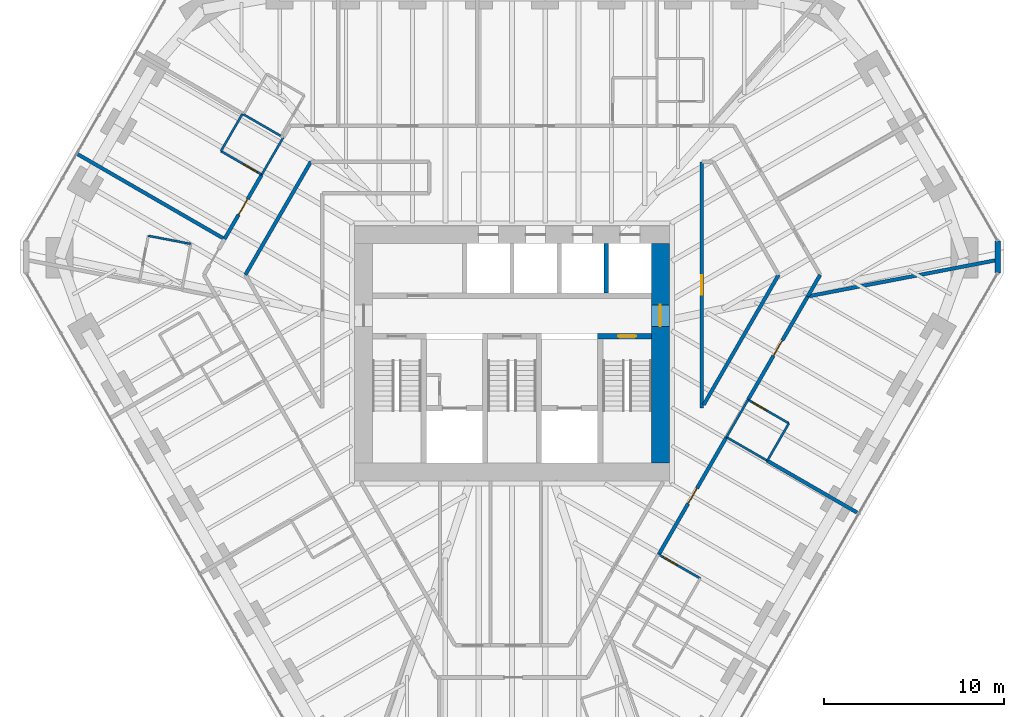
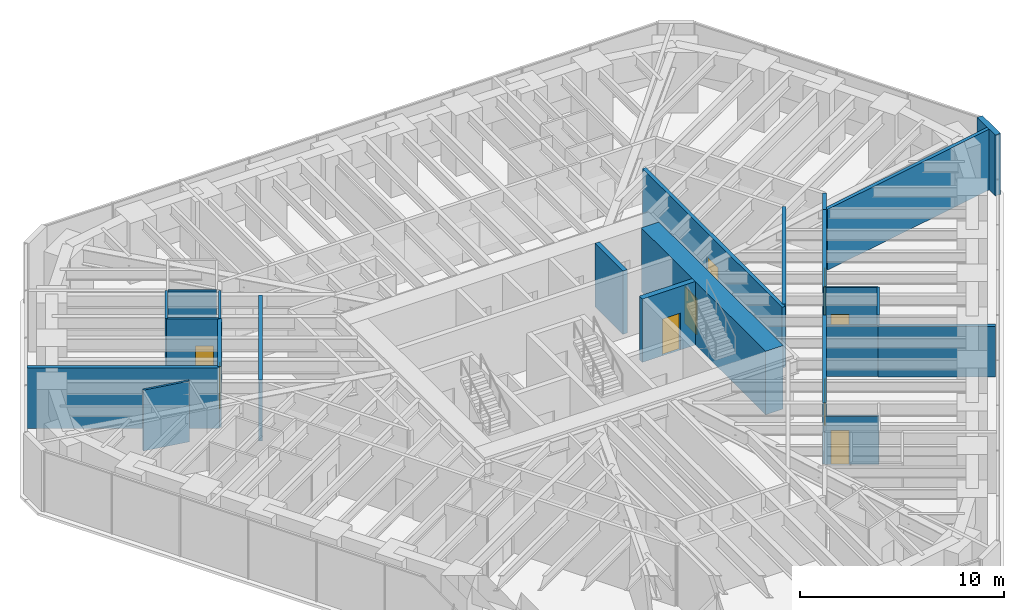
# One storey, part 13 of 16: 24 walls, 9 doors, 9 openings.
"""IFC4 building model written with IfcOpenShell, lengths in metres."""

from ifc_helpers import new_model, si_unit, direction, frame, frame_2d, origin, place, context, subcontext, project, spatial, rectangle, extrude, material, layer, layer_set, type_object, element, fill, save


model = new_model("IFC4")

# Units and contexts
model_context = context("Model", 3, precision=1e-05, world=origin(), true_north=direction((0.0, 1.0)))
body_context = subcontext(model_context, "Body", "Model", "MODEL_VIEW")
ifc_project = project(units=[si_unit("LENGTHUNIT", "METRE"), si_unit("AREAUNIT", "SQUARE_METRE"), si_unit("VOLUMEUNIT", "CUBIC_METRE"), si_unit("PLANEANGLEUNIT", "RADIAN"), si_unit("MASSUNIT", "GRAM", prefix="KILO")], contexts=[model_context])

# Site, building, storey
site_placement = place(None, origin())
site = spatial("IfcSite", under=ifc_project, at=site_placement, CompositionType="ELEMENT")
building_placement = place(site_placement, origin())
building = spatial("IfcBuilding", under=site, at=building_placement, Name="Sandreach Pilgrim Tower", CompositionType="ELEMENT")
storey_placement = place(building_placement, frame((0.0, 0.0, 228.800048828125)))
storey = spatial("IfcBuildingStorey", under=building, at=storey_placement, Name="L57", CompositionType="ELEMENT", Elevation=228.800048828125)

# Wall
ifc_material_1 = material(Name="Moisture-resistant gypsum board on steel studs", Category="steel")
ifc_layer_1 = layer(ifc_material_1, 0.1201171875)
ifc_layer_set_1 = layer_set([ifc_layer_1], Name="Bathroom partition 120")
wall_type_1 = type_object("IfcWallType", Name="Bathroom partition 120", PredefinedType="PARTITIONING", material=ifc_layer_set_1)
wall_1_placement = place(storey_placement, frame((-17.8701171875, 6.090087890625, 0.0), z_axis=(0.0, 0.0, 1.0), x_axis=(-0.982303859288, 0.187294228499, 0.0)))
element("IfcWall", 1, at=wall_1_placement, inside=storey, type_object=wall_type_1, Name="Bathroom partition L57-011", PredefinedType="PARTITIONING", context=body_context, shape_type="SweptSolid", body=[
    extrude(rectangle(XDim=2.40234375, YDim=0.1201171875, at=frame_2d((1.201171875, 0.0))), origin(), (0.0, 0.0, 1.0), 3.639892578125),
])

# Wall, opening, door
wall_2_placement = place(storey_placement, frame((-16.18994140625, 11.25, 0.0), z_axis=(0.0, 0.0, 1.0), x_axis=(0.866114241029, -0.499846097802, 0.0)))
wall_2 = element("IfcWall", 2, at=wall_2_placement, inside=storey, type_object=wall_type_1, Name="Bathroom partition L57-019", PredefinedType="PARTITIONING", context=body_context, shape_type="SweptSolid", body=[
    extrude(rectangle(XDim=2.620849609375, YDim=0.1201171875, at=frame_2d((1.310546875, 0.0))), origin(), (0.0, 0.0, 1.0), 3.639892578125),
])
opening_1_placement = place(wall_2_placement, frame((1.4208984375, 0.0, 0.0)))
opening_1 = element("IfcOpeningElement", 3, at=opening_1_placement, cuts=wall_2, Name="Opening D09-15B", PredefinedType="OPENING", context=body_context, shape_type="SweptSolid", body=[
    extrude(rectangle(XDim=0.89990234375, YDim=2.030029296875, at=frame_2d((0.449951171875, 1.01513671875))), frame((0.0, 0.06005859375, 0.0), z_axis=(0.0, -1.0, 0.0), x_axis=(1.0, 0.0, 0.0)), (0.0, 0.0, 1.0), 0.1201171875),
])
ifc_material_2 = material(Name="Timber door, steel frame", Category="steel")
door_type_1 = type_object("IfcDoorType", Name="Bathroom door", OperationType="SINGLE_SWING_LEFT", PredefinedType="DOOR", material=ifc_material_2)
door_1_placement = place(opening_1_placement, origin())
door_1 = element("IfcDoor", 4, at=door_1_placement, inside=storey, type_object=door_type_1, Name="Door 5715B", OperationType="SINGLE_SWING_RIGHT", OverallHeight=2.030029296875, OverallWidth=0.89990234375, PredefinedType="DOOR", context=body_context, shape_type="SweptSolid", body=[
    extrude(rectangle(XDim=0.89990234375, YDim=2.030029296875, at=frame_2d((0.449951171875, 1.01513671875))), frame((0.0, 0.02490234375, 0.0), z_axis=(0.0, -1.0, 0.0), x_axis=(1.0, 0.0, 0.0)), (0.0, 0.0, 1.0), 0.050048828125),
])
fill(opening_1, door_1)

# Walls
wall_3_placement = place(storey_placement, frame((-14.989990234375, 13.330078125, 0.0), z_axis=(0.0, 0.0, 1.0), x_axis=(-0.499693115345, -0.866202511239, 0.0)))
element("IfcWall", 5, at=wall_3_placement, inside=storey, type_object=wall_type_1, Name="Bathroom partition L57-025", PredefinedType="PARTITIONING", context=body_context, shape_type="SweptSolid", body=[
    extrude(rectangle(XDim=2.4013671875, YDim=0.1201171875, at=frame_2d((1.20068359375, 0.0))), origin(), (0.0, 0.0, 1.0), 3.639892578125),
])
wall_4_placement = place(storey_placement, frame((-14.929931640625, 13.2900390625, 0.0), z_axis=(0.0, 0.0, 1.0), x_axis=(0.866177122335, -0.499737123639, 0.0)))
element("IfcWall", 6, at=wall_4_placement, inside=storey, type_object=wall_type_1, Name="Bathroom partition L57-026", PredefinedType="PARTITIONING", context=body_context, shape_type="SweptSolid", body=[
    extrude(rectangle(XDim=2.401123046875, YDim=0.1201171875, at=frame_2d((1.20068359375, 0.0))), origin(), (0.0, 0.0, 1.0), 3.639892578125),
])
wall_5_placement = place(storey_placement, frame((-13.919921875, 9.93994140625, 0.0), z_axis=(0.0, 0.0, 1.0), x_axis=(0.500402934999, 0.865792644139, 0.0)))
element("IfcWall", 7, at=wall_5_placement, inside=storey, type_object=wall_type_1, Name="Bathroom partition L57-028", PredefinedType="PARTITIONING", context=body_context, shape_type="SweptSolid", body=[
    extrude(rectangle(XDim=2.4013671875, YDim=0.1201171875, at=frame_2d((1.20068359375, 0.0))), origin(), (0.0, 0.0, 1.0), 3.639892578125),
])

# Wall, opening, door
wall_6_placement = place(storey_placement, frame((10.469970703125, -12.510009765625, 0.0), z_axis=(0.0, 0.0, 1.0), x_axis=(-0.86821490448, 0.49618835097, 0.0)))
wall_6 = element("IfcWall", 8, at=wall_6_placement, inside=storey, type_object=wall_type_1, Name="Bathroom partition L57-095", PredefinedType="PARTITIONING", context=body_context, shape_type="SweptSolid", body=[
    extrude(rectangle(XDim=2.660400390625, YDim=0.1201171875, at=frame_2d((1.330078125, 0.0))), origin(), (0.0, 0.0, 1.0), 2.8779296875),
])
opening_2_placement = place(wall_6_placement, frame((1.46044921875, 0.0, 0.0)))
opening_2 = element("IfcOpeningElement", 9, at=opening_2_placement, cuts=wall_6, Name="Opening D09-07B", PredefinedType="OPENING", context=body_context, shape_type="SweptSolid", body=[
    extrude(rectangle(XDim=0.89990234375, YDim=2.030029296875, at=frame_2d((0.449951171875, 1.01513671875))), frame((0.0, 0.06005859375, 0.0), z_axis=(0.0, -1.0, 0.0), x_axis=(1.0, 0.0, 0.0)), (0.0, 0.0, 1.0), 0.1201171875),
])
door_2_placement = place(opening_2_placement, origin())
door_2 = element("IfcDoor", 10, at=door_2_placement, inside=storey, type_object=door_type_1, Name="Door 5707B", OperationType="SINGLE_SWING_RIGHT", OverallHeight=2.030029296875, OverallWidth=0.89990234375, PredefinedType="DOOR", context=body_context, shape_type="SweptSolid", body=[
    extrude(rectangle(XDim=0.89990234375, YDim=2.030029296875, at=frame_2d((0.449951171875, 1.01513671875))), frame((0.0, 0.02490234375, 0.0), z_axis=(0.0, -1.0, 0.0), x_axis=(1.0, 0.0, 0.0)), (0.0, 0.0, 1.0), 0.050048828125),
])
fill(opening_2, door_2)

# Walls
wall_7_placement = place(storey_placement, frame((11.929931640625, -4.659912109375, 0.0), z_axis=(0.0, 0.0, 1.0), x_axis=(0.499737123639, 0.866177122335, 0.0)))
element("IfcWall", 11, at=wall_7_placement, inside=storey, type_object=wall_type_1, Name="Bathroom partition L57-102", PredefinedType="PARTITIONING", context=body_context, shape_type="SweptSolid", body=[
    extrude(rectangle(XDim=2.401123046875, YDim=0.1201171875, at=frame_2d((1.20068359375, 0.0))), origin(), (0.0, 0.0, 1.0), 3.639892578125),
])
wall_8_placement = place(storey_placement, frame((11.929931640625, -4.659912109375, 0.0), z_axis=(0.0, 0.0, 1.0), x_axis=(0.865969958829, -0.500096021185, 0.0)))
element("IfcWall", 12, at=wall_8_placement, inside=storey, type_object=wall_type_1, Name="Bathroom partition L57-103", PredefinedType="PARTITIONING", context=body_context, shape_type="SweptSolid", body=[
    extrude(rectangle(XDim=2.62109375, YDim=0.1201171875, at=frame_2d((1.310546875, 0.0))), origin(), (0.0, 0.0, 1.0), 3.0380859375),
])
wall_9_placement = place(storey_placement, frame((14.199951171875, -5.969970703125, 0.0), z_axis=(0.0, 0.0, 1.0), x_axis=(0.499737123639, 0.866177122335, 0.0)))
element("IfcWall", 13, at=wall_9_placement, inside=storey, type_object=wall_type_1, Name="Bathroom partition L57-108", PredefinedType="PARTITIONING", context=body_context, shape_type="SweptSolid", body=[
    extrude(rectangle(XDim=2.401123046875, YDim=0.1201171875, at=frame_2d((1.20068359375, 0.0))), origin(), (0.0, 0.0, 1.0), 3.639892578125),
])

# Wall, opening, door
wall_10_placement = place(storey_placement, frame((15.39990234375, -3.889892578125, 0.0), z_axis=(0.0, 0.0, 1.0), x_axis=(-0.866154567199, 0.49977621564, 0.0)))
wall_10 = element("IfcWall", 14, at=wall_10_placement, inside=storey, type_object=wall_type_1, Name="Bathroom partition L57-110", PredefinedType="PARTITIONING", context=body_context, shape_type="SweptSolid", body=[
    extrude(rectangle(XDim=2.620849609375, YDim=0.1201171875, at=frame_2d((1.310546875, 0.0))), origin(), (0.0, 0.0, 1.0), 3.639892578125),
])
opening_3_placement = place(wall_10_placement, frame((1.4208984375, 0.0, 0.0)))
opening_3 = element("IfcOpeningElement", 15, at=opening_3_placement, cuts=wall_10, Name="Opening D09-06B", PredefinedType="OPENING", context=body_context, shape_type="SweptSolid", body=[
    extrude(rectangle(XDim=0.89990234375, YDim=2.030029296875, at=frame_2d((0.449951171875, 1.01513671875))), frame((0.0, 0.06005859375, 0.0), z_axis=(0.0, -1.0, 0.0), x_axis=(1.0, 0.0, 0.0)), (0.0, 0.0, 1.0), 0.1201171875),
])
door_3_placement = place(opening_3_placement, origin())
door_3 = element("IfcDoor", 16, at=door_3_placement, inside=storey, type_object=door_type_1, Name="Door 5706B", OperationType="SINGLE_SWING_RIGHT", OverallHeight=2.030029296875, OverallWidth=0.89990234375, PredefinedType="DOOR", context=body_context, shape_type="SweptSolid", body=[
    extrude(rectangle(XDim=0.89990234375, YDim=2.030029296875, at=frame_2d((0.449951171875, 1.01513671875))), frame((0.0, 0.02490234375, 0.0), z_axis=(0.0, -1.0, 0.0), x_axis=(1.0, 0.0, 0.0)), (0.0, 0.0, 1.0), 0.050048828125),
])
fill(opening_3, door_3)

ifc_material_3 = material(Name="Concrete 10000 psi", Category="concrete")
ifc_layer_2 = layer(ifc_material_3, 0.300048828125)
ifc_layer_set_2 = layer_set([ifc_layer_2], Name="Core inner wall 300")
wall_type_2 = type_object("IfcWallType", Name="Core inner wall 300", PredefinedType="SHEAR", material=ifc_layer_set_2)
wall_11_placement = place(storey_placement, frame((4.75, 0.949951171875, 0.0), z_axis=(0.0, 0.0, 1.0), x_axis=(1.0, 0.0, 0.0)))
wall_11 = element("IfcWall", 17, at=wall_11_placement, inside=storey, type_object=wall_type_2, Name="Core wall SN2 L57", PredefinedType="SHEAR", context=body_context, shape_type="SweptSolid", body=[
    extrude(rectangle(XDim=3.0, YDim=0.300048828125, at=frame_2d((1.5, 0.0))), origin(), (0.0, 0.0, 1.0), 3.800048828125),
])
opening_4_placement = place(wall_11_placement, frame((1.14990234375, 0.0, 0.0)))
opening_4 = element("IfcOpeningElement", 18, at=opening_4_placement, cuts=wall_11, Name="Opening D10S-ST2", PredefinedType="OPENING", context=body_context, shape_type="SweptSolid", body=[
    extrude(rectangle(XDim=1.0, YDim=2.199951171875, at=frame_2d((0.5, 1.10009765625))), frame((0.0, 0.14990234375, 0.0), z_axis=(0.0, -1.0, 0.0), x_axis=(1.0, 0.0, 0.0)), (0.0, 0.0, 1.0), 0.300048828125),
])
ifc_material_4 = material(Name="Steel door and frame", Category="steel")
door_type_2 = type_object("IfcDoorType", Name="Stair door", OperationType="SINGLE_SWING_LEFT", PredefinedType="DOOR", material=ifc_material_4)
door_4_placement = place(opening_4_placement, origin())
door_4 = element("IfcDoor", 19, at=door_4_placement, inside=storey, type_object=door_type_2, Name="Stair door ST2 L57", OperationType="SINGLE_SWING_RIGHT", OverallHeight=2.199951171875, OverallWidth=1.0, PredefinedType="DOOR", context=body_context, shape_type="SweptSolid", body=[
    extrude(rectangle(XDim=1.0, YDim=2.199951171875, at=frame_2d((0.5, 1.10009765625))), frame((0.0, 0.02490234375, 0.0), z_axis=(0.0, -1.0, 0.0), x_axis=(1.0, 0.0, 0.0)), (0.0, 0.0, 1.0), 0.050048828125),
])
fill(opening_4, door_4)

ifc_material_5 = material(Name="Concrete 10000 psi", Category="concrete")
ifc_layer_3 = layer(ifc_material_5, 1.0)
ifc_layer_set_3 = layer_set([ifc_layer_3], Name="Core wall 1000")
wall_type_3 = type_object("IfcWallType", Name="Core wall 1000", PredefinedType="SHEAR", material=ifc_layer_set_3)
wall_12_placement = place(storey_placement, frame((8.25, -6.10009765625, 0.0), z_axis=(0.0, 0.0, 1.0), x_axis=(0.0, 1.0, 0.0)))
wall_12 = element("IfcWall", 20, at=wall_12_placement, inside=storey, type_object=wall_type_3, Name="Core wall E L57", PredefinedType="SHEAR", context=body_context, shape_type="SweptSolid", body=[
    extrude(rectangle(XDim=12.2001953125, YDim=1.0, at=frame_2d((6.10009765625, 0.0))), origin(), (0.0, 0.0, 1.0), 3.800048828125),
])
opening_5_placement = place(wall_12_placement, frame((7.60009765625, 0.0, 0.0)))
opening_5 = element("IfcOpeningElement", 21, at=opening_5_placement, cuts=wall_12, Name="Opening D12F-E", PredefinedType="OPENING", context=body_context, shape_type="SweptSolid", body=[
    extrude(rectangle(XDim=1.199951171875, YDim=2.199951171875, at=frame_2d((0.60009765625, 1.10009765625))), frame((0.0, 0.5, 0.0), z_axis=(0.0, -1.0, 0.0), x_axis=(1.0, 0.0, 0.0)), (0.0, 0.0, 1.0), 1.0),
])
ifc_material_6 = material(Name="Steel door and frame", Category="steel")
door_type_3 = type_object("IfcDoorType", Name="Fire lobby door", OperationType="SINGLE_SWING_LEFT", PredefinedType="DOOR", material=ifc_material_6)
door_5_placement = place(opening_5_placement, origin())
door_5 = element("IfcDoor", 22, at=door_5_placement, inside=storey, type_object=door_type_3, Name="Fire service lobby door E L57", OperationType="SINGLE_SWING_RIGHT", OverallHeight=2.199951171875, OverallWidth=1.199951171875, PredefinedType="DOOR", context=body_context, shape_type="SweptSolid", body=[
    extrude(rectangle(XDim=1.199951171875, YDim=2.199951171875, at=frame_2d((0.60009765625, 1.10009765625))), frame((0.0, 0.02490234375, 0.0), z_axis=(0.0, -1.0, 0.0), x_axis=(1.0, 0.0, 0.0)), (0.0, 0.0, 1.0), 0.050048828125),
])
fill(opening_5, door_5)

ifc_material_7 = material(Name="Gypsum board on steel studs, two layers each side", Category="steel")
ifc_layer_4 = layer(ifc_material_7, 0.199951171875)
ifc_layer_set_4 = layer_set([ifc_layer_4], Name="Corridor wall 200")
wall_type_4 = type_object("IfcWallType", Name="Corridor wall 200", PredefinedType="PARTITIONING", material=ifc_layer_set_4)
wall_13_placement = place(storey_placement, frame((-15.989990234375, 6.360107421875, 0.0), z_axis=(0.0, 0.0, 1.0), x_axis=(0.500589371231, 0.865684862644, 0.0)))
wall_13 = element("IfcWall", 23, at=wall_13_placement, inside=storey, type_object=wall_type_4, Name="Corridor wall L57-023", PredefinedType="PARTITIONING", context=body_context, shape_type="SweptSolid", body=[
    extrude(rectangle(XDim=4.13525390625, YDim=0.199951171875, at=frame_2d((2.067626953125, 0.0))), origin(), (0.0, 0.0, 1.0), 3.639892578125),
])
opening_6_placement = place(wall_13_placement, frame((1.567626953125, 0.0, 0.0)))
opening_6 = element("IfcOpeningElement", 24, at=opening_6_placement, cuts=wall_13, Name="Opening D10-15", PredefinedType="OPENING", context=body_context, shape_type="SweptSolid", body=[
    extrude(rectangle(XDim=1.0, YDim=2.1298828125, at=frame_2d((0.5, 1.06494140625))), frame((0.0, 0.10009765625, 0.0), z_axis=(0.0, -1.0, 0.0), x_axis=(1.0, 0.0, 0.0)), (0.0, 0.0, 1.0), 0.199951171875),
])
ifc_material_8 = material(Name="Steel door and frame", Category="steel")
door_type_4 = type_object("IfcDoorType", Name="Guest room entry door", OperationType="SINGLE_SWING_LEFT", PredefinedType="DOOR", material=ifc_material_8)
door_6_placement = place(opening_6_placement, origin())
door_6 = element("IfcDoor", 25, at=door_6_placement, inside=storey, type_object=door_type_4, Name="Door 5715", OperationType="SINGLE_SWING_LEFT", OverallHeight=2.1298828125, OverallWidth=1.0, PredefinedType="DOOR", context=body_context, shape_type="SweptSolid", body=[
    extrude(rectangle(XDim=1.0, YDim=2.1298828125, at=frame_2d((0.5, 1.06494140625))), frame((0.0, 0.02490234375, 0.0), z_axis=(0.0, -1.0, 0.0), x_axis=(1.0, 0.0, 0.0)), (0.0, 0.0, 1.0), 0.050048828125),
])
fill(opening_6, door_6)

# Wall
wall_14_placement = place(storey_placement, frame((-14.830078125, 4.3701171875, 0.0), z_axis=(0.0, 0.0, 1.0), x_axis=(0.500899863475, 0.865505243642, 0.0)))
element("IfcWall", 26, at=wall_14_placement, inside=storey, type_object=wall_type_4, Name="Corridor wall L57-027", PredefinedType="PARTITIONING", context=body_context, shape_type="SweptSolid", body=[
    extrude(rectangle(XDim=7.26708984375, YDim=0.199951171875, at=frame_2d((3.633544921875, 0.0))), origin(), (0.0, 0.0, 1.0), 3.639892578125),
])

# Wall, opening, door
wall_15_placement = place(storey_placement, frame((8.159912109375, -11.18994140625, 0.0), z_axis=(0.0, 0.0, 1.0), x_axis=(0.500004606796, 0.866022744033, 0.0)))
wall_15 = element("IfcWall", 27, at=wall_15_placement, inside=storey, type_object=wall_type_4, Name="Corridor wall L57-089", PredefinedType="PARTITIONING", context=body_context, shape_type="SweptSolid", body=[
    extrude(rectangle(XDim=7.5400390625, YDim=0.199951171875, at=frame_2d((3.77001953125, 0.0))), origin(), (0.0, 0.0, 1.0), 3.639892578125),
])
opening_7_placement = place(wall_15_placement, frame((3.27001953125, 0.0, 0.0)))
opening_7 = element("IfcOpeningElement", 28, at=opening_7_placement, cuts=wall_15, Name="Opening D10-07", PredefinedType="OPENING", context=body_context, shape_type="SweptSolid", body=[
    extrude(rectangle(XDim=1.0, YDim=2.1298828125, at=frame_2d((0.5, 1.06494140625))), frame((0.0, 0.10009765625, 0.0), z_axis=(0.0, -1.0, 0.0), x_axis=(1.0, 0.0, 0.0)), (0.0, 0.0, 1.0), 0.199951171875),
])
door_7_placement = place(opening_7_placement, origin())
door_7 = element("IfcDoor", 29, at=door_7_placement, inside=storey, type_object=door_type_4, Name="Door 5707", OperationType="SINGLE_SWING_LEFT", OverallHeight=2.1298828125, OverallWidth=1.0, PredefinedType="DOOR", context=body_context, shape_type="SweptSolid", body=[
    extrude(rectangle(XDim=1.0, YDim=2.1298828125, at=frame_2d((0.5, 1.06494140625))), frame((0.0, 0.02490234375, 0.0), z_axis=(0.0, -1.0, 0.0), x_axis=(1.0, 0.0, 0.0)), (0.0, 0.0, 1.0), 0.050048828125),
])
fill(opening_7, door_7)

wall_16_placement = place(storey_placement, frame((10.550048828125, -3.050048828125, 0.0), z_axis=(0.0, 0.0, 1.0), x_axis=(0.0, 1.0, 0.0)))
wall_16 = element("IfcWall", 30, at=wall_16_placement, inside=storey, type_object=wall_type_4, Name="Corridor wall L57-096", PredefinedType="PARTITIONING", context=body_context, shape_type="SweptSolid", body=[
    extrude(rectangle(XDim=13.7099609375, YDim=0.199951171875, at=frame_2d((6.85498046875, 0.0))), origin(), (0.0, 0.0, 1.0), 3.639892578125),
])
opening_8_placement = place(wall_16_placement, frame((6.304931640625, 0.0, 0.0)))
opening_8 = element("IfcOpeningElement", 31, at=opening_8_placement, cuts=wall_16, Name="Opening D11H-M2", PredefinedType="OPENING", context=body_context, shape_type="SweptSolid", body=[
    extrude(rectangle(XDim=1.10009765625, YDim=2.199951171875, at=frame_2d((0.550048828125, 1.10009765625))), frame((0.0, 0.10009765625, 0.0), z_axis=(0.0, -1.0, 0.0), x_axis=(1.0, 0.0, 0.0)), (0.0, 0.0, 1.0), 0.199951171875),
])
ifc_material_9 = material(Name="Steel door and frame", Category="steel")
door_type_5 = type_object("IfcDoorType", Name="Back of house door", OperationType="SINGLE_SWING_LEFT", PredefinedType="DOOR", material=ifc_material_9)
door_8_placement = place(opening_8_placement, origin())
door_8 = element("IfcDoor", 32, at=door_8_placement, inside=storey, type_object=door_type_5, Name="Door 57M2", OperationType="SINGLE_SWING_LEFT", OverallHeight=2.199951171875, OverallWidth=1.10009765625, PredefinedType="DOOR", context=body_context, shape_type="SweptSolid", body=[
    extrude(rectangle(XDim=1.10009765625, YDim=2.199951171875, at=frame_2d((0.550048828125, 1.10009765625))), frame((0.0, 0.02490234375, 0.0), z_axis=(0.0, -1.0, 0.0), x_axis=(1.0, 0.0, 0.0)), (0.0, 0.0, 1.0), 0.050048828125),
])
fill(opening_8, door_8)

wall_17_placement = place(storey_placement, frame((13.1298828125, -2.580078125, 0.0), z_axis=(0.0, 0.0, 1.0), x_axis=(0.500034373799, 0.866005557153, 0.0)))
wall_17 = element("IfcWall", 33, at=wall_17_placement, inside=storey, type_object=wall_type_4, Name="Corridor wall L57-106", PredefinedType="PARTITIONING", context=body_context, shape_type="SweptSolid", body=[
    extrude(rectangle(XDim=6.6396484375, YDim=0.199951171875, at=frame_2d((3.31982421875, 0.0))), origin(), (0.0, 0.0, 1.0), 3.639892578125),
])
opening_9_placement = place(wall_17_placement, frame((2.81982421875, 0.0, 0.0)))
opening_9 = element("IfcOpeningElement", 34, at=opening_9_placement, cuts=wall_17, Name="Opening D10-06", PredefinedType="OPENING", context=body_context, shape_type="SweptSolid", body=[
    extrude(rectangle(XDim=1.0, YDim=2.1298828125, at=frame_2d((0.5, 1.06494140625))), frame((0.0, 0.10009765625, 0.0), z_axis=(0.0, -1.0, 0.0), x_axis=(1.0, 0.0, 0.0)), (0.0, 0.0, 1.0), 0.199951171875),
])
door_9_placement = place(opening_9_placement, origin())
door_9 = element("IfcDoor", 35, at=door_9_placement, inside=storey, type_object=door_type_4, Name="Door 5706", OperationType="SINGLE_SWING_LEFT", OverallHeight=2.1298828125, OverallWidth=1.0, PredefinedType="DOOR", context=body_context, shape_type="SweptSolid", body=[
    extrude(rectangle(XDim=1.0, YDim=2.1298828125, at=frame_2d((0.5, 1.06494140625))), frame((0.0, 0.02490234375, 0.0), z_axis=(0.0, -1.0, 0.0), x_axis=(1.0, 0.0, 0.0)), (0.0, 0.0, 1.0), 0.050048828125),
])
fill(opening_9, door_9)

# Walls
wall_18_placement = place(storey_placement, frame((14.830078125, 4.3701171875, 0.0), z_axis=(0.0, 0.0, 1.0), x_axis=(-0.499659986498, -0.866221621695, 0.0)))
element("IfcWall", 36, at=wall_18_placement, inside=storey, type_object=wall_type_4, Name="Corridor wall L57-109", PredefinedType="PARTITIONING", context=body_context, shape_type="SweptSolid", body=[
    extrude(rectangle(XDim=8.345947265625, YDim=0.199951171875, at=frame_2d((4.1728515625, 0.0))), origin(), (0.0, 0.0, 1.0), 3.639892578125),
])
wall_19_placement = place(storey_placement, frame((16.449951171875, 3.169921875, 0.0), z_axis=(0.0, 0.0, 1.0), x_axis=(0.49845455473, 0.866915830325, 0.0)))
element("IfcWall", 37, at=wall_19_placement, inside=storey, type_object=wall_type_4, Name="Corridor wall L57-111", PredefinedType="PARTITIONING", context=body_context, shape_type="SweptSolid", body=[
    extrude(rectangle(XDim=1.38427734375, YDim=0.199951171875, at=frame_2d((0.692138671875, 0.0))), origin(), (0.0, 0.0, 1.0), 3.639892578125),
])
ifc_material_10 = material(Name="Double steel stud acoustic wall, gypsum board", Category="steel")
ifc_layer_5 = layer(ifc_material_10, 0.199951171875)
ifc_layer_set_5 = layer_set([ifc_layer_5], Name="Party wall 200")
wall_type_5 = type_object("IfcWallType", Name="Party wall 200", PredefinedType="PARTITIONING", material=ifc_layer_set_5)
wall_20_placement = place(storey_placement, frame((-24.18408203125, 11.094970703125, 0.0), z_axis=(0.0, 0.0, 1.0), x_axis=(0.865833251631, -0.500332669702, 0.0)))
element("IfcWall", 38, at=wall_20_placement, inside=storey, type_object=wall_type_5, Name="Party wall L57-002", PredefinedType="PARTITIONING", context=body_context, shape_type="SweptSolid", body=[
    extrude(rectangle(XDim=9.45361328125, YDim=0.199951171875, at=frame_2d((4.726806640625, 0.0))), origin(), (0.0, 0.0, 1.0), 3.639892578125),
])
wall_21_placement = place(storey_placement, frame((14.19970703125, -5.970703125, 0.0), z_axis=(0.0, 0.0, 1.0), x_axis=(0.86600340545, -0.500038100297, 0.0)))
element("IfcWall", 39, at=wall_21_placement, inside=storey, type_object=wall_type_5, Name="Party wall L57-107", PredefinedType="PARTITIONING", context=body_context, shape_type="SweptSolid", body=[
    extrude(rectangle(XDim=5.7578125, YDim=0.199951171875, at=frame_2d((2.87890625, 0.0))), origin(), (0.0, 0.0, 1.0), 3.0380859375),
])
wall_22_placement = place(storey_placement, frame((27.04052734375, 5.204345703125, 0.0), z_axis=(0.0, 0.0, 1.0), x_axis=(-0.982047984466, -0.188631270488, 0.0)))
element("IfcWall", 40, at=wall_22_placement, inside=storey, type_object=wall_type_5, Name="Party wall L57-115", PredefinedType="PARTITIONING", context=body_context, shape_type="SweptSolid", body=[
    extrude(rectangle(XDim=10.684326171875, YDim=0.199951171875, at=frame_2d((5.34228515625, 0.0))), origin(), (0.0, 0.0, 1.0), 3.639892578125),
])
ifc_material_11 = material(Name="Gypsum shaft wall on steel studs, two layers of shaft liner board", Category="steel")
ifc_layer_6 = layer(ifc_material_11, 0.25)
ifc_layer_set_6 = layer_set([ifc_layer_6], Name="Shaft partition 250")
wall_type_6 = type_object("IfcWallType", Name="Shaft partition 250", PredefinedType="PARTITIONING", material=ifc_layer_set_6)
wall_23_placement = place(storey_placement, frame((5.25, 3.35009765625, 0.0), z_axis=(0.0, 0.0, 1.0), x_axis=(0.0, 1.0, 0.0)))
element("IfcWall", 41, at=wall_23_placement, inside=storey, type_object=wall_type_6, Name="Shaft partition NS4 L57", PredefinedType="PARTITIONING", context=body_context, shape_type="SweptSolid", body=[
    extrude(rectangle(XDim=2.75, YDim=0.25, at=frame_2d((1.375, 0.0))), origin(), (0.0, 0.0, 1.0), 3.800048828125),
])
ifc_material_12 = material(Name="Terracotta rainscreen on concrete", Category="masonry")
ifc_layer_7 = layer(ifc_material_12, 0.300048828125)
ifc_layer_set_7 = layer_set([ifc_layer_7], Name="Terracotta chamfer pier")
wall_type_7 = type_object("IfcWallType", Name="Terracotta chamfer pier", PredefinedType="SOLIDWALL", material=ifc_layer_set_7)
wall_24_placement = place(storey_placement, frame((27.02001953125, 6.25, 0.0), z_axis=(0.0, 0.0, 1.0), x_axis=(0.0, -1.0, 0.0)))
element("IfcWall", 42, at=wall_24_placement, inside=storey, type_object=wall_type_7, Name="Chamfer pier L57 NE", PredefinedType="SOLIDWALL", context=body_context, shape_type="SweptSolid", body=[
    extrude(rectangle(XDim=1.77001953125, YDim=0.300048828125, at=frame_2d((0.885009765625, 0.0))), origin(), (0.0, 0.0, 1.0), 3.639892578125),
])

save(model, "model.ifc")
